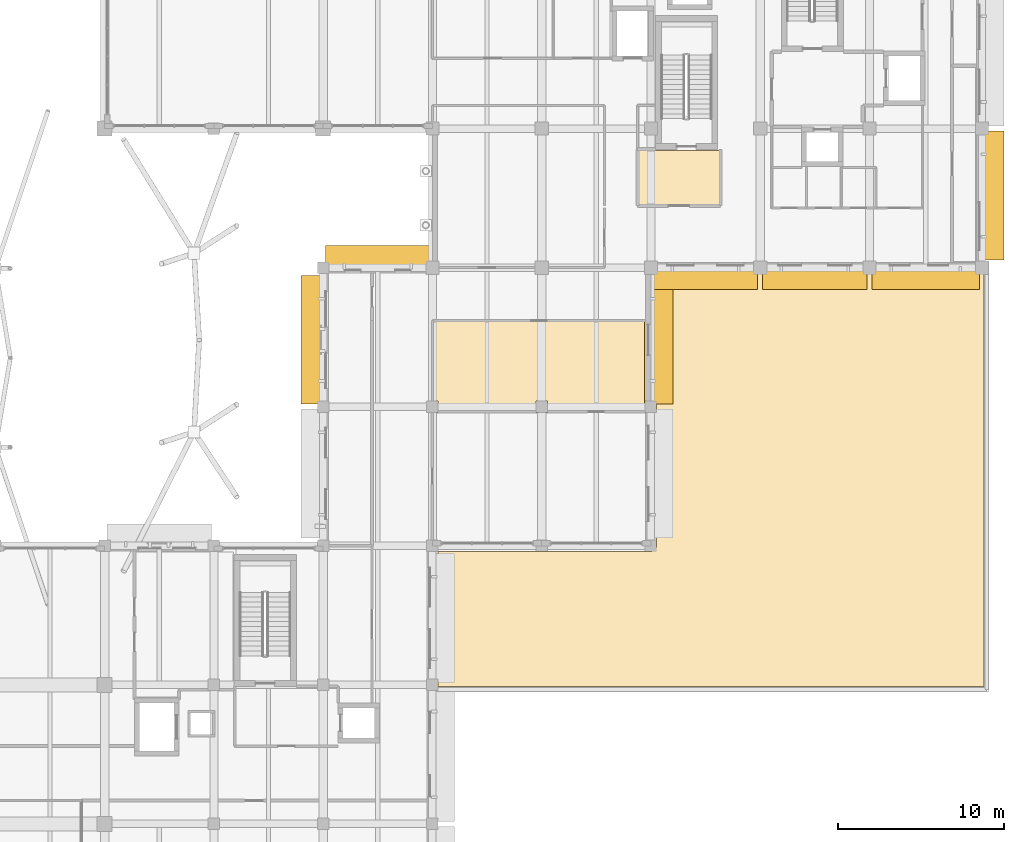
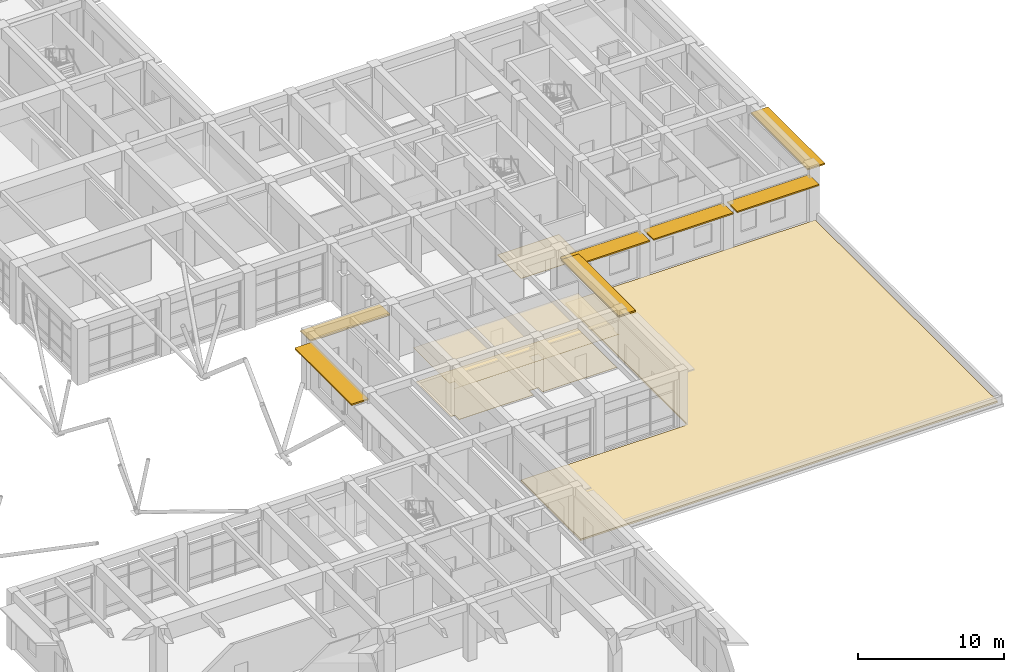
# One storey, part 72 of 75: 7 shading devices, 4 coverings.
"""IFC4 building model written with IfcOpenShell, lengths in metres."""

from ifc_helpers import new_model, si_unit, direction, frame, origin, origin_2d, place, context, subcontext, project, spatial, polyline, rectangle, outline, extrude, material, layer, layer_set, type_object, element, save


model = new_model("IFC4")

# Units and contexts
model_context = context("Model", 3, precision=1e-05, world=origin(), true_north=direction((0.0, 1.0)))
body_context = subcontext(model_context, "Body", "Model", "MODEL_VIEW")
ifc_project = project(units=[si_unit("LENGTHUNIT", "METRE"), si_unit("AREAUNIT", "SQUARE_METRE"), si_unit("VOLUMEUNIT", "CUBIC_METRE"), si_unit("PLANEANGLEUNIT", "RADIAN"), si_unit("MASSUNIT", "GRAM", prefix="KILO")], contexts=[model_context])

# Site, building, storey
site_placement = place(None, origin())
site = spatial("IfcSite", under=ifc_project, at=site_placement, CompositionType="ELEMENT")
building_placement = place(site_placement, origin())
building = spatial("IfcBuilding", under=site, at=building_placement, Name="Kolvaren Faculty of Natural Sciences", CompositionType="ELEMENT")
storey_placement = place(building_placement, frame((0.0, 0.0, 5.39990234375)))
storey = spatial("IfcBuildingStorey", under=building, at=storey_placement, Name="L01", CompositionType="ELEMENT", Elevation=5.39990234375)

# Covering
ifc_material_1 = material(Name="Perforated mineral-fibre acoustic suspended ceiling tile")
ifc_layer_1 = layer(ifc_material_1, 0.02490234375)
ifc_layer_set_1 = layer_set([ifc_layer_1], Name="Perforated mineral-fibre acoustic suspended ceiling tile")
covering_type_1 = type_object("IfcCoveringType", Name="AcousticSuspendedCeiling_25", PredefinedType="CEILING", material=ifc_layer_set_1)
covering_1_placement = place(storey_placement, frame((0.0, 0.0, 2.8251953125)))
element("IfcCovering", 1, at=covering_1_placement, inside=storey, type_object=covering_type_1, Name="L01 L01 Earth Sciences Faculty Office acoustic ceiling", PredefinedType="CEILING", context=body_context, shape_type="SweptSolid", body=[
    extrude(outline(polyline([(151.760009765625, 50.949951171875), (151.64990234375, 50.949951171875), (151.64990234375, 50.25), (151.760009765625, 50.25), (151.760009765625, 50.219970703125), (138.719970703125, 50.219970703125), (138.719970703125, 50.25), (139.14990234375, 50.25), (139.14990234375, 50.949951171875), (138.719970703125, 50.949951171875), (138.719970703125, 55.8798828125), (151.760009765625, 55.8798828125), (151.760009765625, 50.949951171875)]), holes=[polyline([(145.050048828125, 50.949951171875), (145.050048828125, 50.25), (145.75, 50.25), (145.75, 50.949951171875), (145.050048828125, 50.949951171875)])]), origin(), (0.0, 0.0, 1.0), 0.02490234375),
])

# Shading devices
ifc_material_2 = material(Name="Precast concrete C35/45", Category="concrete")
ifc_layer_2 = layer(ifc_material_2, 0.1201171875)
ifc_layer_set_2 = layer_set([ifc_layer_2], Name="Precast concrete C35/45")
shading_device_type = type_object("IfcShadingDeviceType", Name="ChhajjaSolarHood_1350", PredefinedType="AWNING", material=ifc_layer_set_2)
shading_device_1_placement = place(storey_placement, frame((131.544921875, 54.639892578125, 3.844970703125), z_axis=(0.0, 0.0, 1.0), x_axis=(0.0, 1.0, 0.0)))
element("IfcShadingDevice", 2, at=shading_device_1_placement, inside=storey, type_object=shading_device_type, Name="L01 precast sandstone chhajja solar hood 39", PredefinedType="AWNING", context=body_context, shape_type="SweptSolid", body=[
    extrude(rectangle(XDim=7.780029296875, YDim=1.35009765625, at=origin_2d()), origin(), (0.0, 0.0, 1.0), 0.1201171875),
])
shading_device_2_placement = place(storey_placement, frame((135.5, 59.655029296875, 3.695068359375), z_axis=(0.0, 0.0, 1.0), x_axis=(1.0, 0.0, 0.0)))
element("IfcShadingDevice", 3, at=shading_device_2_placement, inside=storey, type_object=shading_device_type, Name="L01 precast sandstone chhajja solar hood 40", PredefinedType="AWNING", context=body_context, shape_type="SweptSolid", body=[
    extrude(rectangle(XDim=6.300048828125, YDim=1.35009765625, at=origin_2d()), origin(), (0.0, 0.0, 1.0), 0.1201171875),
])
shading_device_3_placement = place(storey_placement, frame((172.655029296875, 63.360107421875, 3.844970703125), z_axis=(0.0, 0.0, 1.0), x_axis=(0.0, -1.0, 0.0)))
element("IfcShadingDevice", 4, at=shading_device_3_placement, inside=storey, type_object=shading_device_type, Name="L01 precast sandstone chhajja solar hood 50", PredefinedType="AWNING", context=body_context, shape_type="SweptSolid", body=[
    extrude(rectangle(XDim=7.780029296875, YDim=1.35009765625, at=origin_2d()), origin(), (0.0, 0.0, 1.0), 0.1201171875),
])
shading_device_4_placement = place(storey_placement, frame((168.60009765625, 58.344970703125, 3.695068359375), z_axis=(0.0, 0.0, 1.0), x_axis=(-1.0, 0.0, 0.0)))
element("IfcShadingDevice", 5, at=shading_device_4_placement, inside=storey, type_object=shading_device_type, Name="L01 precast sandstone chhajja solar hood 51", PredefinedType="AWNING", context=body_context, shape_type="SweptSolid", body=[
    extrude(rectangle(XDim=6.5, YDim=1.35009765625, at=origin_2d()), origin(), (0.0, 0.0, 1.0), 0.1201171875),
])
for number, where, z_axis, x_axis, name in (
    (6, (161.89990234375, 58.344970703125, 3.695068359375), (0.0, 0.0, 1.0), (-1.0, 0.0, 0.0), "L01 precast sandstone chhajja solar hood 52"),
    (7, (155.300048828125, 58.344970703125, 3.695068359375), (0.0, 0.0, 1.0), (-1.0, 0.0, 0.0), "L01 precast sandstone chhajja solar hood 53"),
):
    element("IfcShadingDevice", number, at=place(storey_placement, frame(where, z_axis=z_axis, x_axis=x_axis)), inside=storey, type_object=shading_device_type, Name=name, PredefinedType="AWNING", context=body_context, shape_type="SweptSolid", body=[
        extrude(rectangle(XDim=6.300048828125, YDim=1.35009765625, at=origin_2d()), origin(), (0.0, 0.0, 1.0), 0.1201171875),
    ])
shading_device_5_placement = place(storey_placement, frame((152.655029296875, 54.639892578125, 3.844970703125), z_axis=(0.0, 0.0, 1.0), x_axis=(0.0, -1.0, 0.0)))
element("IfcShadingDevice", 8, at=shading_device_5_placement, inside=storey, type_object=shading_device_type, Name="L01 precast sandstone chhajja solar hood 54", PredefinedType="AWNING", context=body_context, shape_type="SweptSolid", body=[
    extrude(rectangle(XDim=7.780029296875, YDim=1.35009765625, at=origin_2d()), origin(), (0.0, 0.0, 1.0), 0.1201171875),
])

# Coverings
ifc_material_3 = material(Name="SBS polymer-modified bitumen waterproofing membrane over PIR insulation")
ifc_layer_3 = layer(ifc_material_3, 0.139892578125)
ifc_layer_set_3 = layer_set([ifc_layer_3], Name="SBS polymer-modified bitumen waterproofing membrane over PIR insulation")
covering_type_2 = type_object("IfcCoveringType", Name="InsulatedRoofMembrane_140", PredefinedType="ROOFING", material=ifc_layer_set_3)
covering_2_placement = place(storey_placement, origin())
element("IfcCovering", 9, at=covering_2_placement, inside=storey, type_object=covering_type_2, Name="L01 insulated warm-roof waterproofing membrane 1", PredefinedType="ROOFING", context=body_context, shape_type="SweptSolid", body=[
    extrude(outline(polyline([(139.139892578125, 41.860107421875), (152.0, 41.860107421875), (152.01611328125, 41.8603515625), (152.01806640625, 41.860595703125), (152.052001953125, 41.864013671875), (152.0537109375, 41.8642578125), (152.085205078125, 41.870849609375), (152.087158203125, 41.871337890625), (152.102294921875, 41.875732421875), (152.10400390625, 41.87646484375), (152.131103515625, 41.88623046875), (152.157470703125, 41.898681640625), (152.1591796875, 41.899658203125), (152.171630859375, 41.906494140625), (152.17333984375, 41.90771484375), (152.1923828125, 41.919677734375), (152.194091796875, 41.9208984375), (152.21728515625, 41.9384765625), (152.239013671875, 41.958251953125), (152.240478515625, 41.959716796875), (152.24169921875, 41.9609375), (152.261474609375, 41.982666015625), (152.279296875, 42.006103515625), (152.2802734375, 42.007568359375), (152.29248046875, 42.026611328125), (152.29345703125, 42.0283203125), (152.30029296875, 42.041015625), (152.30126953125, 42.04248046875), (152.313720703125, 42.06884765625), (152.323486328125, 42.095947265625), (152.32421875, 42.097900390625), (152.32861328125, 42.11279296875), (152.3291015625, 42.11474609375), (152.335693359375, 42.146240234375), (152.3359375, 42.148193359375), (152.339599609375, 42.181884765625), (152.339599609375, 42.18408203125), (152.340087890625, 42.199951171875), (152.340087890625, 58.659912109375), (172.0, 58.659912109375), (172.01611328125, 58.660400390625), (172.01806640625, 58.660400390625), (172.052001953125, 58.6640625), (172.0537109375, 58.664306640625), (172.085205078125, 58.6708984375), (172.087158203125, 58.67138671875), (172.102294921875, 58.67578125), (172.10400390625, 58.676513671875), (172.110107421875, 58.678466796875), (172.110107421875, 33.68994140625), (139.139892578125, 33.68994140625), (139.139892578125, 41.860107421875)])), origin(), (0.0, 0.0, 1.0), 0.14013671875),
])
ifc_material_4 = material(Name="Polished Uruguayan grey granite terrazzo flooring", Category="masonry")
ifc_layer_4 = layer(ifc_material_4, 0.030029296875)
ifc_layer_set_4 = layer_set([ifc_layer_4], Name="Polished Uruguayan grey granite terrazzo flooring")
covering_type_3 = type_object("IfcCoveringType", Name="TerrazzoFloorFinish_30", PredefinedType="FLOORING", material=ifc_layer_set_4)
covering_3_placement = place(storey_placement, origin())
element("IfcCovering", 10, at=covering_3_placement, inside=storey, type_object=covering_type_3, Name="L01 L01 Firefighting Rescue Lobby CORE-C2 floor finish", PredefinedType="FLOORING", context=body_context, shape_type="SweptSolid", body=[
    extrude(outline(polyline([(156.139892578125, 66.090087890625), (156.139892578125, 62.81005859375), (151.260009765625, 62.81005859375), (151.260009765625, 66.090087890625), (156.139892578125, 66.090087890625)])), origin(), (0.0, 0.0, 1.0), 0.030029296875),
])
covering_4_placement = place(storey_placement, origin())
element("IfcCovering", 11, at=covering_4_placement, inside=storey, type_object=covering_type_3, Name="L01 L01 Earth Sciences Faculty Office floor finish", PredefinedType="FLOORING", context=body_context, shape_type="SweptSolid", body=[
    extrude(outline(polyline([(151.6201171875, 55.739990234375), (151.6201171875, 50.360107421875), (145.75, 50.360107421875), (145.75, 50.949951171875), (145.050048828125, 50.949951171875), (145.050048828125, 50.360107421875), (139.14990234375, 50.360107421875), (139.14990234375, 50.949951171875), (138.860107421875, 50.949951171875), (138.860107421875, 55.739990234375), (151.6201171875, 55.739990234375)])), origin(), (0.0, 0.0, 1.0), 0.030029296875),
])

save(model, "model.ifc")
